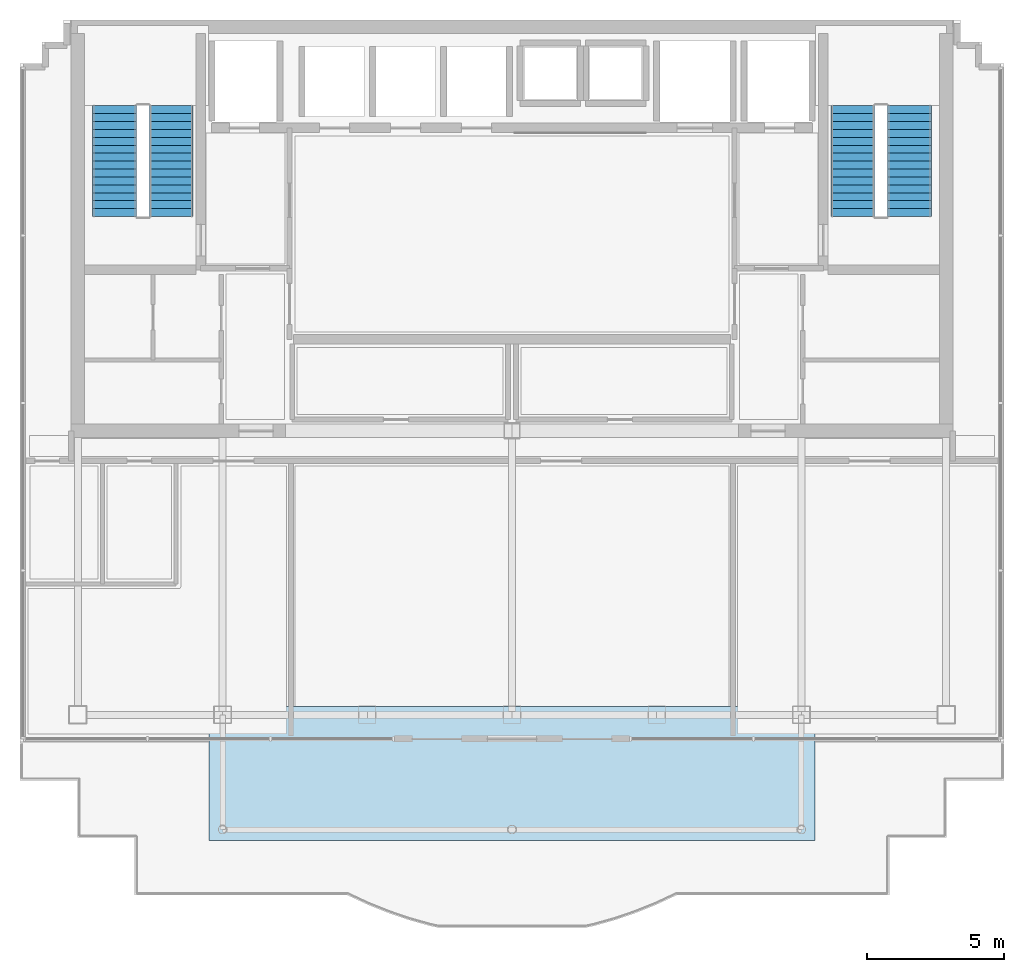
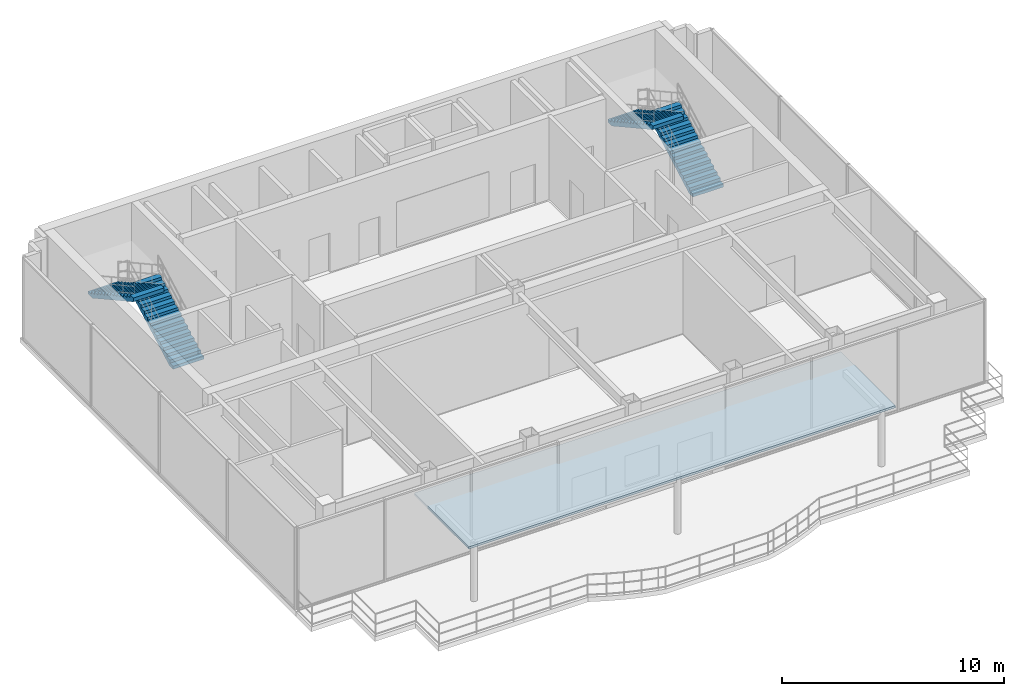
# One storey, part 9 of 11: 4 stair flights, 1 roof, 2 elements without a shape of their own.
"""IFC4 building model written with IfcOpenShell, lengths in metres."""

from ifc_helpers import new_model, si_unit, direction, frame, origin, place, context, subcontext, project, spatial, polyline, outline, extrude, material, layer, layer_set, type_object, element, aggregate, save


model = new_model("IFC4")

# Units and contexts
model_context = context("Model", 3, precision=1e-05, world=origin(), true_north=direction((0.0, 1.0)))
body_context = subcontext(model_context, "Body", "Model", "MODEL_VIEW")
ifc_project = project(units=[si_unit("LENGTHUNIT", "METRE"), si_unit("AREAUNIT", "SQUARE_METRE"), si_unit("VOLUMEUNIT", "CUBIC_METRE"), si_unit("PLANEANGLEUNIT", "RADIAN"), si_unit("MASSUNIT", "GRAM", prefix="KILO")], contexts=[model_context])

# Site, building, storey
site_placement = place(None, origin())
site = spatial("IfcSite", under=ifc_project, at=site_placement, CompositionType="ELEMENT")
building_placement = place(site_placement, origin())
building = spatial("IfcBuilding", under=site, at=building_placement, Name="Qianlan Lanfeng Residences", CompositionType="ELEMENT")
storey_placement = place(building_placement, frame((0.0, 0.0, 266.0)))
storey = spatial("IfcBuildingStorey", under=building, at=storey_placement, Name="L74", CompositionType="ELEMENT", Elevation=266.0)

# Stair, stair flights
ifc_material_1 = material(Name="Concrete C42", Category="concrete")
stair_type = type_object("IfcStairType", Name="STR-MAIN", PredefinedType="HALF_TURN_STAIR", material=ifc_material_1)
stair_1_placement = place(storey_placement, origin())
stair_1 = element("IfcStair", 1, at=stair_1_placement, inside=storey, type_object=stair_type, Name="L74 Exit Stair ST-1", PredefinedType="HALF_TURN_STAIR")
stair_flight_type = type_object("IfcStairFlightType", Name="FLT-1720", PredefinedType="STRAIGHT", material=ifc_material_1)
stair_flight_1_placement = place(storey_placement, frame((14.02001953125, 33.050048828125, 0.0), z_axis=(0.0, 0.0, 1.0), x_axis=(0.0, 1.0, 0.0)))
stair_flight_1 = element("IfcStairFlight", 2, at=stair_flight_1_placement, type_object=stair_flight_type, Name="ST-1 flight 1", NumberOfRisers=15, NumberOfTreads=14, PredefinedType="STRAIGHT", RiserHeight=0.16, TreadLength=0.29, context=body_context, shape_type="SweptSolid", body=[
    extrude(outline(polyline([(0.0, 0.0), (0.0, 0.159912109375), (0.2900390625, 0.159912109375), (0.2900390625, 0.320068359375), (0.580078125, 0.320068359375), (0.580078125, 0.47998046875), (0.8701171875, 0.47998046875), (0.8701171875, 0.639892578125), (1.159912109375, 0.639892578125), (1.159912109375, 0.800048828125), (1.449951171875, 0.800048828125), (1.449951171875, 0.9599609375), (1.739990234375, 0.9599609375), (1.739990234375, 1.1201171875), (2.030029296875, 1.1201171875), (2.030029296875, 1.280029296875), (2.320068359375, 1.280029296875), (2.320068359375, 1.43994140625), (2.610107421875, 1.43994140625), (2.610107421875, 1.60009765625), (2.89990234375, 1.60009765625), (2.89990234375, 1.760009765625), (3.18994140625, 1.760009765625), (3.18994140625, 1.919921875), (3.47998046875, 1.919921875), (3.47998046875, 2.080078125), (3.77001953125, 2.080078125), (3.77001953125, 2.239990234375), (4.06005859375, 2.239990234375), (4.06005859375, 2.39990234375), (4.06005859375, 2.034423828125), (0.37255859375, 0.0), (0.0, 0.0)])), frame((0.0, 0.800048828125, 0.0), z_axis=(0.0, -1.0, 0.0), x_axis=(1.0, 0.0, 0.0)), (0.0, 0.0, 1.0), 1.60009765625),
])
stair_flight_2_placement = place(storey_placement, frame((11.93994140625, 37.110107421875, 2.39990234375), z_axis=(0.0, 0.0, 1.0), x_axis=(0.0, -1.0, 0.0)))
stair_flight_2 = element("IfcStairFlight", 3, at=stair_flight_2_placement, type_object=stair_flight_type, Name="ST-1 flight 2", NumberOfRisers=15, NumberOfTreads=14, PredefinedType="STRAIGHT", RiserHeight=0.16, TreadLength=0.29, context=body_context, shape_type="SweptSolid", body=[
    extrude(outline(polyline([(0.0, 0.0), (0.0, 0.159912109375), (0.2900390625, 0.159912109375), (0.2900390625, 0.320068359375), (0.580078125, 0.320068359375), (0.580078125, 0.47998046875), (0.8701171875, 0.47998046875), (0.8701171875, 0.639892578125), (1.159912109375, 0.639892578125), (1.159912109375, 0.800048828125), (1.449951171875, 0.800048828125), (1.449951171875, 0.9599609375), (1.739990234375, 0.9599609375), (1.739990234375, 1.1201171875), (2.030029296875, 1.1201171875), (2.030029296875, 1.280029296875), (2.320068359375, 1.280029296875), (2.320068359375, 1.43994140625), (2.610107421875, 1.43994140625), (2.610107421875, 1.60009765625), (2.89990234375, 1.60009765625), (2.89990234375, 1.760009765625), (3.18994140625, 1.760009765625), (3.18994140625, 1.919921875), (3.47998046875, 1.919921875), (3.47998046875, 2.080078125), (3.77001953125, 2.080078125), (3.77001953125, 2.239990234375), (4.06005859375, 2.239990234375), (4.06005859375, 2.39990234375), (4.06005859375, 2.034423828125), (0.37255859375, 0.0), (0.0, 0.0)])), frame((0.0, 0.800048828125, 0.0), z_axis=(0.0, -1.0, 0.0), x_axis=(1.0, 0.0, 0.0)), (0.0, 0.0, 1.0), 1.60009765625),
])
aggregate(stair_1, [stair_flight_1, stair_flight_2])

stair_2_placement = place(storey_placement, origin())
stair_2 = element("IfcStair", 4, at=stair_2_placement, inside=storey, type_object=stair_type, Name="L74 Exit Stair ST-2", PredefinedType="HALF_TURN_STAIR")
stair_flight_3_placement = place(storey_placement, frame((41.06005859375, 33.050048828125, 0.0), z_axis=(0.0, 0.0, 1.0), x_axis=(0.0, 1.0, 0.0)))
stair_flight_3 = element("IfcStairFlight", 5, at=stair_flight_3_placement, type_object=stair_flight_type, Name="ST-2 flight 1", NumberOfRisers=15, NumberOfTreads=14, PredefinedType="STRAIGHT", RiserHeight=0.16, TreadLength=0.29, context=body_context, shape_type="SweptSolid", body=[
    extrude(outline(polyline([(0.0, 0.0), (0.0, 0.159912109375), (0.2900390625, 0.159912109375), (0.2900390625, 0.320068359375), (0.580078125, 0.320068359375), (0.580078125, 0.47998046875), (0.8701171875, 0.47998046875), (0.8701171875, 0.639892578125), (1.159912109375, 0.639892578125), (1.159912109375, 0.800048828125), (1.449951171875, 0.800048828125), (1.449951171875, 0.9599609375), (1.739990234375, 0.9599609375), (1.739990234375, 1.1201171875), (2.030029296875, 1.1201171875), (2.030029296875, 1.280029296875), (2.320068359375, 1.280029296875), (2.320068359375, 1.43994140625), (2.610107421875, 1.43994140625), (2.610107421875, 1.60009765625), (2.89990234375, 1.60009765625), (2.89990234375, 1.760009765625), (3.18994140625, 1.760009765625), (3.18994140625, 1.919921875), (3.47998046875, 1.919921875), (3.47998046875, 2.080078125), (3.77001953125, 2.080078125), (3.77001953125, 2.239990234375), (4.06005859375, 2.239990234375), (4.06005859375, 2.39990234375), (4.06005859375, 2.034423828125), (0.37255859375, 0.0), (0.0, 0.0)])), frame((0.0, 0.800048828125, 0.0), z_axis=(0.0, -1.0, 0.0), x_axis=(1.0, 0.0, 0.0)), (0.0, 0.0, 1.0), 1.60009765625),
])
stair_flight_4_placement = place(storey_placement, frame((38.97998046875, 37.110107421875, 2.39990234375), z_axis=(0.0, 0.0, 1.0), x_axis=(0.0, -1.0, 0.0)))
stair_flight_4 = element("IfcStairFlight", 6, at=stair_flight_4_placement, type_object=stair_flight_type, Name="ST-2 flight 2", NumberOfRisers=15, NumberOfTreads=14, PredefinedType="STRAIGHT", RiserHeight=0.16, TreadLength=0.29, context=body_context, shape_type="SweptSolid", body=[
    extrude(outline(polyline([(0.0, 0.0), (0.0, 0.159912109375), (0.2900390625, 0.159912109375), (0.2900390625, 0.320068359375), (0.580078125, 0.320068359375), (0.580078125, 0.47998046875), (0.8701171875, 0.47998046875), (0.8701171875, 0.639892578125), (1.159912109375, 0.639892578125), (1.159912109375, 0.800048828125), (1.449951171875, 0.800048828125), (1.449951171875, 0.9599609375), (1.739990234375, 0.9599609375), (1.739990234375, 1.1201171875), (2.030029296875, 1.1201171875), (2.030029296875, 1.280029296875), (2.320068359375, 1.280029296875), (2.320068359375, 1.43994140625), (2.610107421875, 1.43994140625), (2.610107421875, 1.60009765625), (2.89990234375, 1.60009765625), (2.89990234375, 1.760009765625), (3.18994140625, 1.760009765625), (3.18994140625, 1.919921875), (3.47998046875, 1.919921875), (3.47998046875, 2.080078125), (3.77001953125, 2.080078125), (3.77001953125, 2.239990234375), (4.06005859375, 2.239990234375), (4.06005859375, 2.39990234375), (4.06005859375, 2.034423828125), (0.37255859375, 0.0), (0.0, 0.0)])), frame((0.0, 0.800048828125, 0.0), z_axis=(0.0, -1.0, 0.0), x_axis=(1.0, 0.0, 0.0)), (0.0, 0.0, 1.0), 1.60009765625),
])
aggregate(stair_2, [stair_flight_3, stair_flight_4])

# Roof
ifc_material_2 = material(Name="Anodised Bronze Aluminium Rainscreen Cladding", Category="aluminium")
ifc_layer = layer(ifc_material_2, 0.1201171875)
ifc_layer_set = layer_set([ifc_layer], Name="Anodised Bronze Aluminium Rainscreen Cladding")
roof_type = type_object("IfcRoofType", Name="RF-CAN-MEM", PredefinedType="FLAT_ROOF", material=ifc_layer_set)
roof_placement = place(storey_placement, frame((0.0, 0.0, 3.199951171875)))
element("IfcRoof", 7, at=roof_placement, inside=storey, type_object=roof_type, Name="L74 Lookout South Shade Canopy Roof", PredefinedType="FLAT_ROOF", context=body_context, shape_type="SweptSolid", body=[
    extrude(outline(polyline([(15.39990234375, 10.199951171875), (37.60009765625, 10.199951171875), (37.60009765625, 15.10009765625), (15.39990234375, 15.10009765625), (15.39990234375, 10.199951171875)])), origin(), (0.0, 0.0, 1.0), 0.1201171875),
])

save(model, "model.ifc")
